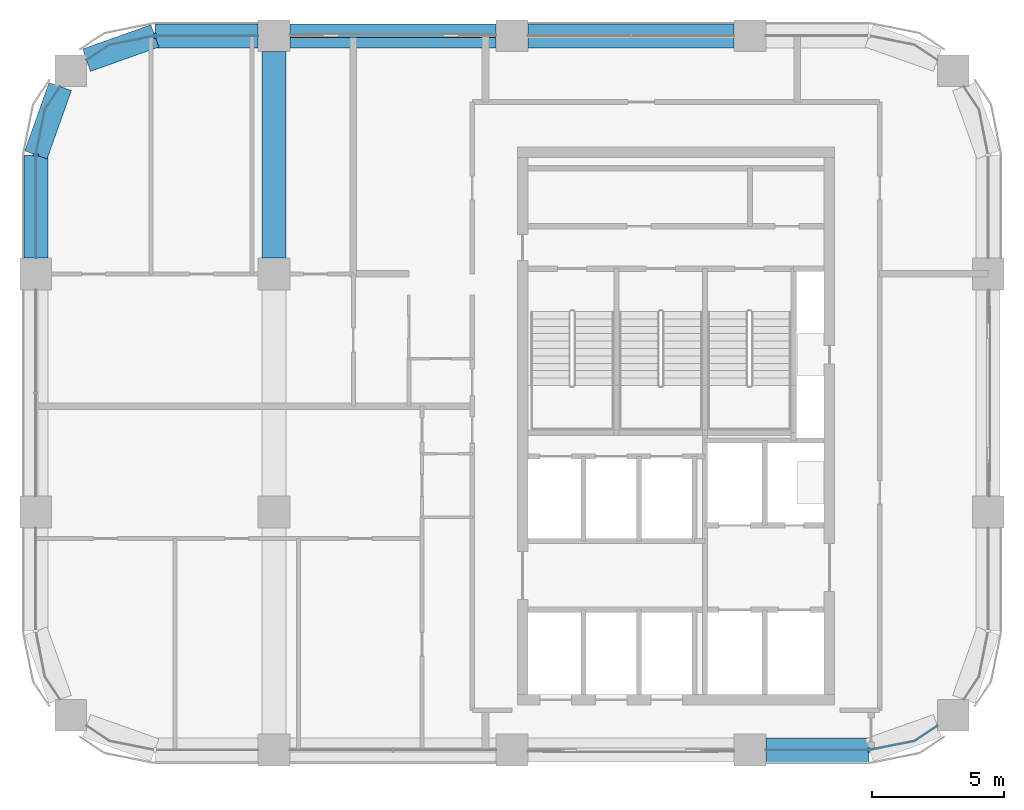
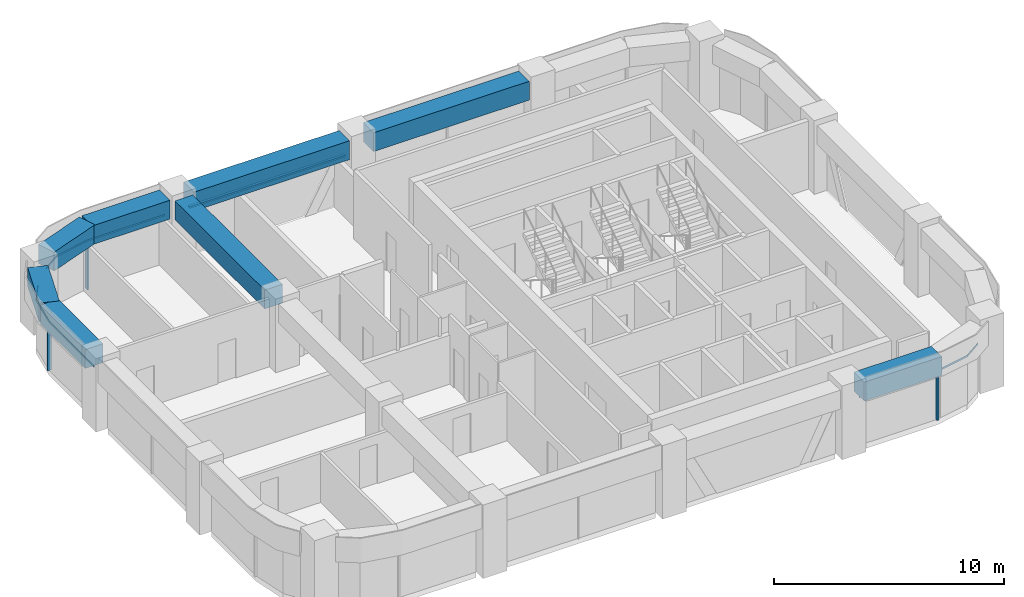
# One storey, part 3 of 9: 8 beams, 7 members, 4 elements without a shape of their own.
"""IFC4 building model written with IfcOpenShell, lengths in metres."""

from ifc_helpers import new_model, si_unit, direction, frame, origin, origin_2d, place, context, subcontext, project, spatial, polyline, rectangle, outline, extrude, material, material_profile, profile_set, type_object, element, aggregate, save


model = new_model("IFC4")

# Units and contexts
model_context = context("Model", 3, precision=1e-05, world=origin(), true_north=direction((0.0, 1.0)))
body_context = subcontext(model_context, "Body", "Model", "MODEL_VIEW")
ifc_project = project(units=[si_unit("LENGTHUNIT", "METRE"), si_unit("AREAUNIT", "SQUARE_METRE"), si_unit("VOLUMEUNIT", "CUBIC_METRE"), si_unit("PLANEANGLEUNIT", "RADIAN"), si_unit("MASSUNIT", "GRAM", prefix="KILO")], contexts=[model_context])

# Site, building, storey
site_placement = place(None, origin())
site = spatial("IfcSite", under=ifc_project, at=site_placement, CompositionType="ELEMENT")
building_placement = place(site_placement, origin())
building = spatial("IfcBuilding", under=site, at=building_placement, Name="Tessera Arch", CompositionType="ELEMENT")
storey_placement = place(building_placement, frame((0.0, 0.0, 246.199951171875)))
storey = spatial("IfcBuildingStorey", under=building, at=storey_placement, Name="L59", CompositionType="ELEMENT", Elevation=246.199951171875)

# Curtain wall, member
ifc_material_1 = material(Name="CW2 curtain wall")
curtain_wall_type_1 = type_object("IfcCurtainWallType", Name="CW2 curtain wall", PredefinedType="NOTDEFINED", material=ifc_material_1)
curtain_wall_1_placement = place(storey_placement, origin())
curtain_wall_1 = element("IfcCurtainWall", 1, at=curtain_wall_1_placement, inside=storey, type_object=curtain_wall_type_1, Name="CW2 curtain wall N54.18/3 L59", PredefinedType="NOTDEFINED")
ifc_material_2 = material(Name="Anodised aluminium pale metal", Category="aluminium")
ifc_material_profile_1 = material_profile(ifc_material_2, rectangle(XDim=0.199951171875, YDim=0.080078125, at=origin_2d()), Name="AL 80x200")
ifc_profile_set_1 = profile_set([ifc_material_profile_1], Name="Anodised aluminium pale metal")
member_type_1 = type_object("IfcMemberType", Name="CW2 mullion", PredefinedType="MULLION", material=ifc_profile_set_1)
member_1_placement = place(storey_placement, frame((22.5, 54.0, 0.0), z_axis=(0.0, 0.0, 1.0), x_axis=(0.0, -1.0, 0.0)))
member_1 = element("IfcMember", 2, at=member_1_placement, type_object=member_type_1, Name="CW2 mullion N54.18/3 1", PredefinedType="MULLION", context=body_context, shape_type="SweptSolid", body=[
    extrude(rectangle(XDim=0.199951171875, YDim=0.080078125, at=origin_2d()), origin(), (0.0, 0.0, 1.0), 2.5),
])

curtain_wall_2_placement = place(storey_placement, origin())
curtain_wall_2 = element("IfcCurtainWall", 3, at=curtain_wall_2_placement, inside=storey, type_object=curtain_wall_type_1, Name="CW2 curtain wall W18.27/0 L59", PredefinedType="NOTDEFINED")
member_2_placement = place(storey_placement, frame((18.0, 49.5, 0.0), z_axis=(0.0, 0.0, 1.0), x_axis=(1.0, 0.0, 0.0)))
member_2 = element("IfcMember", 4, at=member_2_placement, type_object=member_type_1, Name="CW2 mullion W18.27/0 1", PredefinedType="MULLION", context=body_context, shape_type="SweptSolid", body=[
    extrude(rectangle(XDim=0.199951171875, YDim=0.080078125, at=origin_2d()), origin(), (0.0, 0.0, 1.0), 2.5),
])

curtain_wall_3_placement = place(storey_placement, origin())
curtain_wall_3 = element("IfcCurtainWall", 5, at=curtain_wall_3_placement, inside=storey, type_object=curtain_wall_type_1, Name="CW2 curtain wall S27.18/3 L59", PredefinedType="NOTDEFINED")
member_3_placement = place(storey_placement, frame((49.5, 27.0, 0.0), z_axis=(0.0, 0.0, 1.0), x_axis=(0.0, 1.0, 0.0)))
member_3 = element("IfcMember", 6, at=member_3_placement, type_object=member_type_1, Name="CW2 mullion S27.18/3 1", PredefinedType="MULLION", context=body_context, shape_type="SweptSolid", body=[
    extrude(rectangle(XDim=0.199951171875, YDim=0.080078125, at=origin_2d()), origin(), (0.0, 0.0, 1.0), 2.5),
])

# Member
ifc_material_3 = material(Name="Anodised aluminium pale metal", Category="aluminium")
ifc_material_profile_2 = material_profile(ifc_material_3, rectangle(XDim=0.199951171875, YDim=0.10009765625, at=origin_2d()), Name="AL 200x100")
ifc_profile_set_2 = profile_set([ifc_material_profile_2], Name="Anodised aluminium pale metal")
member_type_2 = type_object("IfcMemberType", Name="CW2 transom", PredefinedType="USERDEFINED", material=ifc_profile_set_2)
member_4_placement = place(storey_placement, frame((0.0, 0.0, 2.5)))
member_4 = element("IfcMember", 7, at=member_4_placement, type_object=member_type_2, Name="CW2 transom N54.18/3 1", ObjectType="TRANSOM", PredefinedType="USERDEFINED", context=body_context, shape_type="SweptSolid", body=[
    extrude(outline(polyline([(22.5009765625, 53.989990234375), (26.39990234375, 53.989990234375), (26.39990234375, 54.010009765625), (22.4990234375, 54.010009765625), (20.77392578125, 53.6669921875), (19.912353515625, 53.09130859375), (19.923583984375, 53.07470703125), (20.78173828125, 53.648193359375), (22.5009765625, 53.989990234375)])), origin(), (0.0, 0.0, 1.0), 0.10009765625),
])

aggregate(curtain_wall_1, [member_1, member_4])

member_5_placement = place(storey_placement, frame((0.0, 0.0, 2.5)))
member_5 = element("IfcMember", 8, at=member_5_placement, type_object=member_type_2, Name="CW2 transom W18.27/0 1", ObjectType="TRANSOM", PredefinedType="USERDEFINED", context=body_context, shape_type="SweptSolid", body=[
    extrude(outline(polyline([(18.351806640625, 51.21826171875), (18.92529296875, 52.076416015625), (18.90869140625, 52.087646484375), (18.3330078125, 51.22607421875), (17.989990234375, 49.5009765625), (17.989990234375, 45.60009765625), (18.010009765625, 45.60009765625), (18.010009765625, 49.4990234375), (18.351806640625, 51.21826171875)])), origin(), (0.0, 0.0, 1.0), 0.10009765625),
])

aggregate(curtain_wall_2, [member_2, member_5])

member_6_placement = place(storey_placement, frame((0.0, 0.0, 2.5)))
member_6 = element("IfcMember", 9, at=member_6_placement, type_object=member_type_2, Name="CW2 transom S27.18/3 1", ObjectType="TRANSOM", PredefinedType="USERDEFINED", context=body_context, shape_type="SweptSolid", body=[
    extrude(outline(polyline([(49.4990234375, 27.010009765625), (45.60009765625, 27.010009765625), (45.60009765625, 26.989990234375), (49.5009765625, 26.989990234375), (51.22607421875, 27.3330078125), (52.087646484375, 27.90869140625), (52.076416015625, 27.92529296875), (51.21826171875, 27.351806640625), (49.4990234375, 27.010009765625)])), origin(), (0.0, 0.0, 1.0), 0.10009765625),
])

aggregate(curtain_wall_3, [member_3, member_6])

# Curtain wall, member
ifc_material_4 = material(Name="CW3 curtain wall")
curtain_wall_type_2 = type_object("IfcCurtainWallType", Name="CW3 curtain wall", PredefinedType="NOTDEFINED", material=ifc_material_4)
curtain_wall_4_placement = place(storey_placement, origin())
curtain_wall_4 = element("IfcCurtainWall", 10, at=curtain_wall_4_placement, inside=storey, type_object=curtain_wall_type_2, Name="CW3 curtain wall N54.18/2 L59", PredefinedType="NOTDEFINED")
ifc_material_5 = material(Name="Anodised aluminium pale metal", Category="aluminium")
ifc_material_profile_3 = material_profile(ifc_material_5, rectangle(XDim=0.139892578125, YDim=0.10009765625, at=origin_2d()), Name="AL 140x100")
ifc_profile_set_3 = profile_set([ifc_material_profile_3], Name="Anodised aluminium pale metal")
member_type_3 = type_object("IfcMemberType", Name="CW3 transom", PredefinedType="USERDEFINED", material=ifc_profile_set_3)
member_7_placement = place(storey_placement, frame((35.39990234375, 54.0, 2.550048828125), z_axis=(-1.0, 0.0, 0.0), x_axis=(0.0, -1.0, 0.0)))
member_7 = element("IfcMember", 11, at=member_7_placement, type_object=member_type_3, Name="CW3 transom N54.18/2 1.1", ObjectType="TRANSOM", PredefinedType="USERDEFINED", context=body_context, shape_type="SweptSolid", body=[
    extrude(rectangle(XDim=0.139892578125, YDim=0.10009765625, at=origin_2d()), origin(), (0.0, 0.0, 1.0), 7.7998046875),
])
aggregate(curtain_wall_4, [member_7])

# Beams
ifc_material_6 = material(Name="Concrete C60/75", Category="concrete")
ifc_material_profile_4 = material_profile(ifc_material_6, rectangle(XDim=0.89990234375, YDim=1.0, at=origin_2d()), Name="RC spandrel beam 900 x 1000 Concrete C60/75")
ifc_profile_set_4 = profile_set([ifc_material_profile_4], Name="Concrete C60/75")
beam_type = type_object("IfcBeamType", Name="RC spandrel beam 900 x 1000 Concrete C60/75", PredefinedType="BEAM", material=ifc_profile_set_4)
for number, where, z_axis, x_axis, name in (
    (12, (44.39990234375, 54.0, 3.10009765625), (-1.0, 0.0, 0.0), (0.0, -1.0, 0.0), "Spandrel beam L59 N54.18/1"),
    (13, (35.39990234375, 54.0, 3.10009765625), (-1.0, 0.0, 0.0), (0.0, -1.0, 0.0), "Spandrel beam L59 N54.18/2"),
):
    element("IfcBeam", number, at=place(storey_placement, frame(where, z_axis=z_axis, x_axis=x_axis)), inside=storey, type_object=beam_type, Name=name, PredefinedType="BEAM", context=body_context, shape_type="SweptSolid", body=[
        extrude(rectangle(XDim=0.89990234375, YDim=1.0, at=origin_2d()), origin(), (0.0, 0.0, 1.0), 7.7998046875),
    ])
beam_1_placement = place(storey_placement, frame((26.39990234375, 54.0, 3.10009765625), z_axis=(-1.0, 0.0, 0.0), x_axis=(0.0, -1.0, 0.0)))
element("IfcBeam", 14, at=beam_1_placement, inside=storey, type_object=beam_type, Name="Spandrel beam L59 N54.18/3.1", PredefinedType="BEAM", context=body_context, shape_type="SweptSolid", body=[
    extrude(rectangle(XDim=0.89990234375, YDim=1.0, at=origin_2d()), origin(), (0.0, 0.0, 1.0), 3.89990234375),
])
for number, where, z_axis, x_axis, name in (
    (15, (22.5, 54.0, 3.10009765625), (-0.942337127159, -0.334665114373, 0.0), (0.334665114373, -0.942337127159, 0.0), "Spandrel beam L59 N54.18/3.2"),
    (16, (18.9169921875, 52.08203125, 3.10009765625), (-0.334665114373, -0.942337127159, 0.0), (0.942337127159, -0.334665114373, 0.0), "Spandrel beam L59 W18.27/0.1"),
):
    element("IfcBeam", number, at=place(storey_placement, frame(where, z_axis=z_axis, x_axis=x_axis)), inside=storey, type_object=beam_type, Name=name, PredefinedType="BEAM", context=body_context, shape_type="SweptSolid", body=[
        extrude(rectangle(XDim=0.89990234375, YDim=1.0, at=origin_2d()), origin(), (0.0, 0.0, 1.0), 2.739990234375),
    ])
for number, where, z_axis, x_axis, name in (
    (17, (18.0, 49.5, 3.10009765625), (0.0, -1.0, 0.0), (1.0, 0.0, 0.0), "Spandrel beam L59 W18.27/0.2"),
    (18, (45.60009765625, 27.0, 3.10009765625), (1.0, 0.0, 0.0), (0.0, 1.0, 0.0), "Spandrel beam L59 S27.18/3.1"),
):
    element("IfcBeam", number, at=place(storey_placement, frame(where, z_axis=z_axis, x_axis=x_axis)), inside=storey, type_object=beam_type, Name=name, PredefinedType="BEAM", context=body_context, shape_type="SweptSolid", body=[
        extrude(rectangle(XDim=0.89990234375, YDim=1.0, at=origin_2d()), origin(), (0.0, 0.0, 1.0), 3.89990234375),
    ])
beam_2_placement = place(storey_placement, frame((27.0, 45.60009765625, 3.10009765625), z_axis=(0.0, 1.0, 0.0), x_axis=(-1.0, 0.0, 0.0)))
element("IfcBeam", 19, at=beam_2_placement, inside=storey, type_object=beam_type, Name="Interface beam L59 I0C4F-C4G", PredefinedType="BEAM", context=body_context, shape_type="SweptSolid", body=[
    extrude(rectangle(XDim=0.89990234375, YDim=1.0, at=origin_2d()), origin(), (0.0, 0.0, 1.0), 7.7998046875),
])

save(model, "model.ifc")
